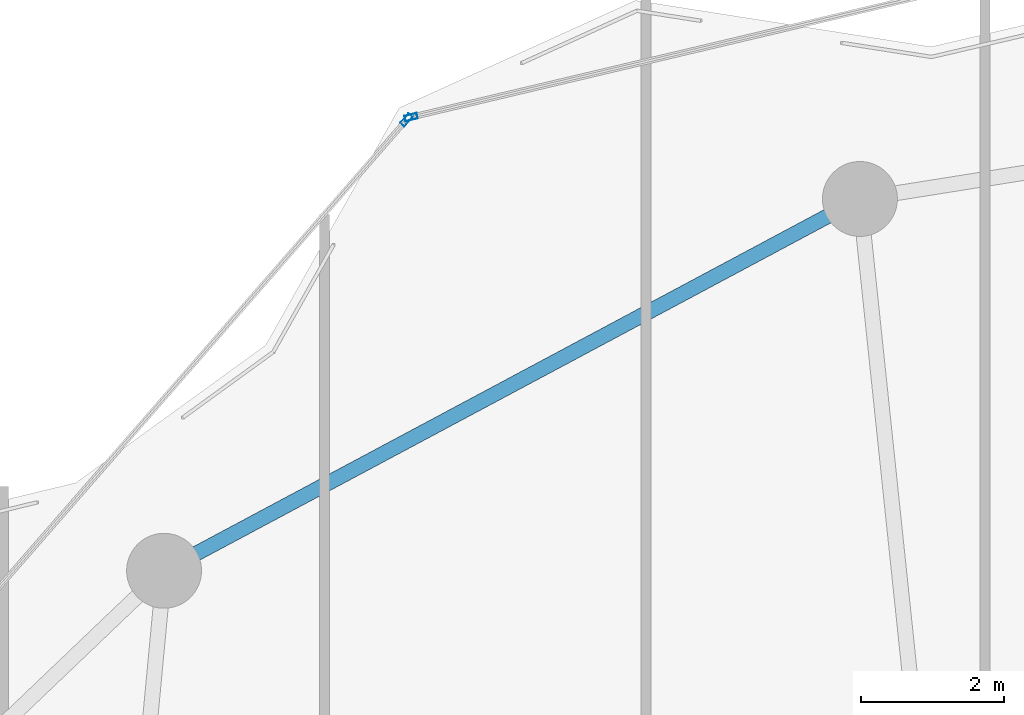
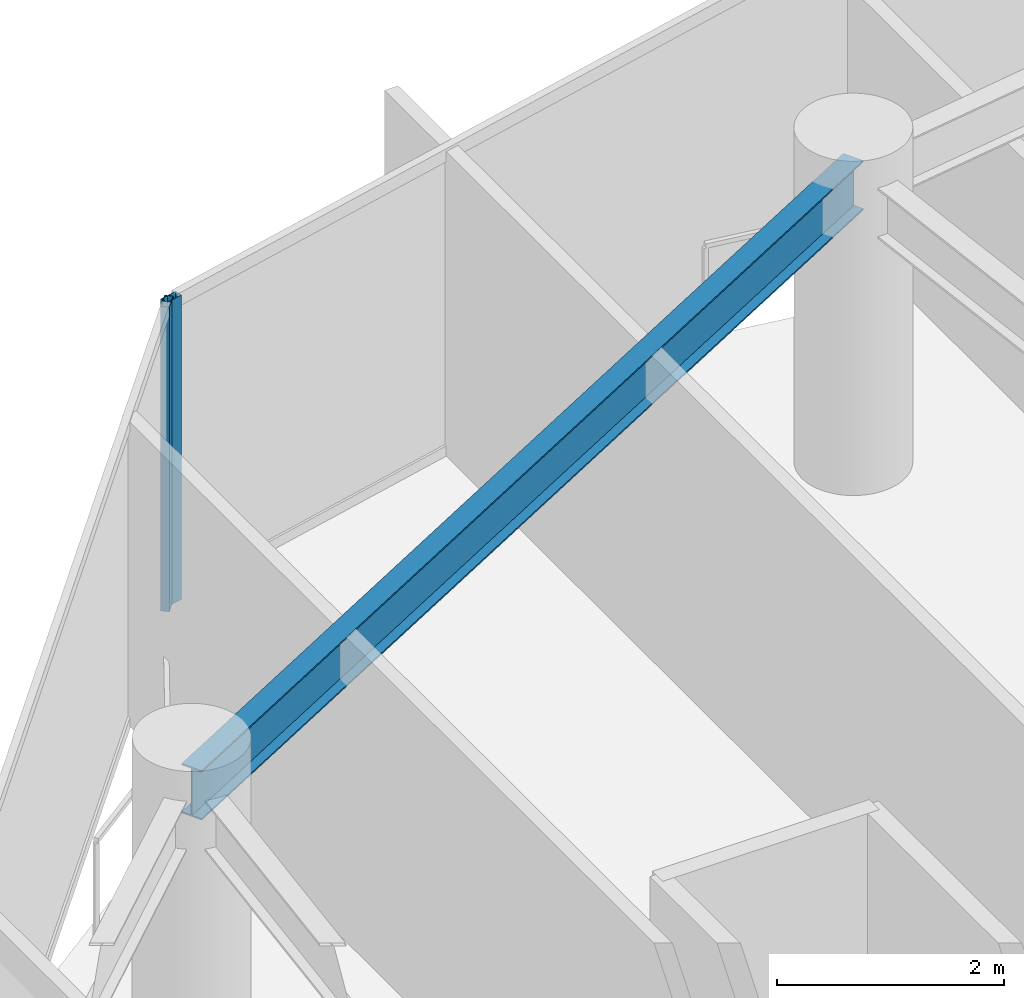
# One storey, part 17 of 29: 2 members, 1 beam, 2 elements without a shape of their own.
"""IFC4 building model written with IfcOpenShell, lengths in metres."""

from ifc_helpers import new_model, si_unit, direction, frame, origin, origin_2d, place, context, subcontext, project, spatial, hollow_rectangle, i_section, extrude, material, layer, layer_set, material_profile, profile_set, type_object, element, aggregate, save


model = new_model("IFC4")

# Units and contexts
model_context = context("Model", 3, precision=1e-05, world=origin(), true_north=direction((0.0, 1.0)))
body_context = subcontext(model_context, "Body", "Model", "MODEL_VIEW")
ifc_project = project(units=[si_unit("LENGTHUNIT", "METRE"), si_unit("AREAUNIT", "SQUARE_METRE"), si_unit("VOLUMEUNIT", "CUBIC_METRE"), si_unit("PLANEANGLEUNIT", "RADIAN"), si_unit("MASSUNIT", "GRAM", prefix="KILO")], contexts=[model_context])

# Site, building, storey
site_placement = place(None, origin())
site = spatial("IfcSite", under=ifc_project, at=site_placement, CompositionType="ELEMENT")
building_placement = place(site_placement, origin())
building = spatial("IfcBuilding", under=site, at=building_placement, Name="Kazevale Care Tower and Concert Hall", CompositionType="ELEMENT")
storey_placement = place(building_placement, frame((0.0, 0.0, 249.60009765625)))
storey = spatial("IfcBuildingStorey", under=building, at=storey_placement, Name="L66", CompositionType="ELEMENT", Elevation=249.60009765625)

# Curtain wall, member
ifc_material_1 = material(Name="Aluminium 6063-T6 and Low-E Glass", Category="aluminium")
ifc_layer_1 = layer(ifc_material_1, 0.179931640625)
ifc_layer_set_1 = layer_set([ifc_layer_1], Name="Aluminium 6063-T6 and Low-E Glass")
curtain_wall_type_1 = type_object("IfcCurtainWallType", Name="Convex Checkerboard Finned Curtain Wall CW-2", PredefinedType="NOTDEFINED", material=ifc_layer_set_1)
curtain_wall_1_placement = place(storey_placement, origin())
curtain_wall_1 = element("IfcCurtainWall", 1, at=curtain_wall_1_placement, inside=storey, type_object=curtain_wall_type_1, Name="cw:L66:f14", PredefinedType="NOTDEFINED")
ifc_material_2 = material(Name="Aluminium 6063-T6", Category="aluminium")
ifc_material_profile_1 = material_profile(ifc_material_2, hollow_rectangle(XDim=0.080078125, YDim=0.179931640625, WallThickness=0.0048828125, at=origin_2d()), Name="ALU80x180x5")
ifc_profile_set_1 = profile_set([ifc_material_profile_1], Name="Aluminium 6063-T6")
member_type_1 = type_object("IfcMemberType", Name="CW-2 Mullion ALU80x180x5", PredefinedType="MULLION", material=ifc_profile_set_1)
member_1_placement = place(storey_placement, frame((27.145751953125, 61.326904296875, 0.0), z_axis=(0.0, 0.0, 1.0), x_axis=(-0.753738225685, 0.657174776708, 0.0)))
member_1 = element("IfcMember", 2, at=member_1_placement, type_object=member_type_1, Name="CW-2 mullion 2", PredefinedType="MULLION", context=body_context, shape_type="SweptSolid", body=[
    extrude(hollow_rectangle(XDim=0.080078125, YDim=0.179931640625, WallThickness=0.0048828125, at=origin_2d()), origin(), (0.0, 0.0, 1.0), 3.27978515625),
])
aggregate(curtain_wall_1, [member_1])

ifc_layer_2 = layer(ifc_material_1, 0.179931640625)
ifc_layer_set_2 = layer_set([ifc_layer_2], Name="Aluminium 6063-T6 and Low-E Glass")
curtain_wall_type_2 = type_object("IfcCurtainWallType", Name="Waist & Upper Residential Curtain Wall CW-4", PredefinedType="NOTDEFINED", material=ifc_layer_set_2)
curtain_wall_2_placement = place(storey_placement, origin())
curtain_wall_2 = element("IfcCurtainWall", 3, at=curtain_wall_2_placement, inside=storey, type_object=curtain_wall_type_2, Name="cw:L66:f15", PredefinedType="NOTDEFINED")
ifc_material_profile_2 = material_profile(ifc_material_2, hollow_rectangle(XDim=0.080078125, YDim=0.179931640625, WallThickness=0.0048828125, at=origin_2d()), Name="ALU80x180x5")
ifc_profile_set_2 = profile_set([ifc_material_profile_2], Name="Aluminium 6063-T6")
member_type_2 = type_object("IfcMemberType", Name="CW-4 Mullion ALU80x180x5", PredefinedType="MULLION", material=ifc_profile_set_2)
member_2_placement = place(storey_placement, frame((27.2109375, 61.3662109375, 0.0), z_axis=(0.0, 0.0, 1.0), x_axis=(-0.230439111929, 0.973086746233, 0.0)))
member_2 = element("IfcMember", 4, at=member_2_placement, type_object=member_type_2, Name="CW-4 mullion 1", PredefinedType="MULLION", context=body_context, shape_type="SweptSolid", body=[
    extrude(hollow_rectangle(XDim=0.080078125, YDim=0.179931640625, WallThickness=0.0048828125, at=origin_2d()), origin(), (0.0, 0.0, 1.0), 3.27978515625),
])
aggregate(curtain_wall_2, [member_2])

# Beam
ifc_material_3 = material(Name="Steel ASTM A572 Gr 50", Category="steel")
ifc_material_profile_3 = material_profile(ifc_material_3, i_section(OverallWidth=0.208984375, OverallDepth=0.532958984375, WebThickness=0.01025390625, FlangeThickness=0.015625, at=origin_2d()), Name="W530x92")
ifc_profile_set_3 = profile_set([ifc_material_profile_3], Name="Steel ASTM A572 Gr 50")
beam_type = type_object("IfcBeamType", Name="Upper Ring Beam W530x92", PredefinedType="BEAM", material=ifc_profile_set_3)
beam_placement = place(storey_placement, frame((33.5, 60.219970703125, 3.013427734375), z_axis=(-0.881978519833, -0.471289603697, 0.0), x_axis=(0.471289603697, -0.881978519833, 0.0)))
element("IfcBeam", 5, at=beam_placement, inside=storey, type_object=beam_type, Name="beam:L66:ring:06", PredefinedType="BEAM", context=body_context, shape_type="SweptSolid", body=[
    extrude(i_section(OverallWidth=0.208984375, OverallDepth=0.532958984375, WebThickness=0.01025390625, FlangeThickness=0.015625, at=origin_2d()), origin(), (0.0, 0.0, 1.0), 11.0546875),
])

save(model, "model.ifc")
